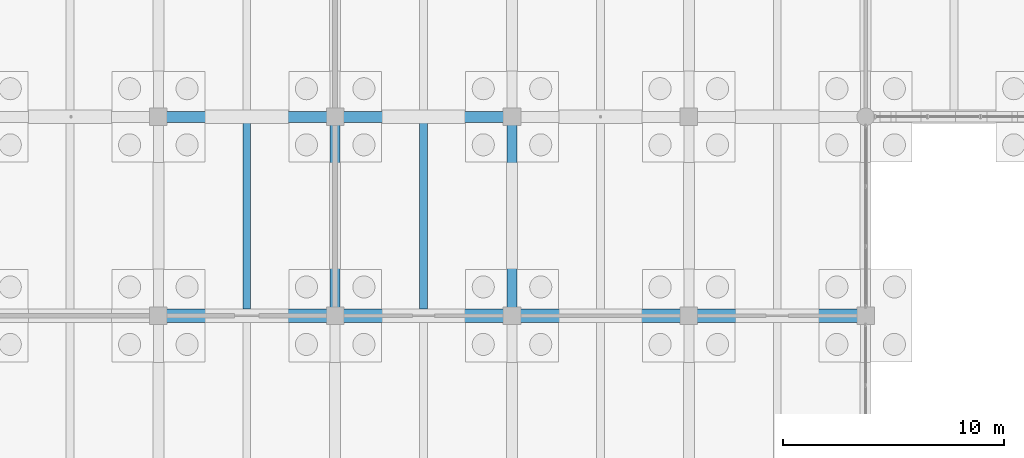
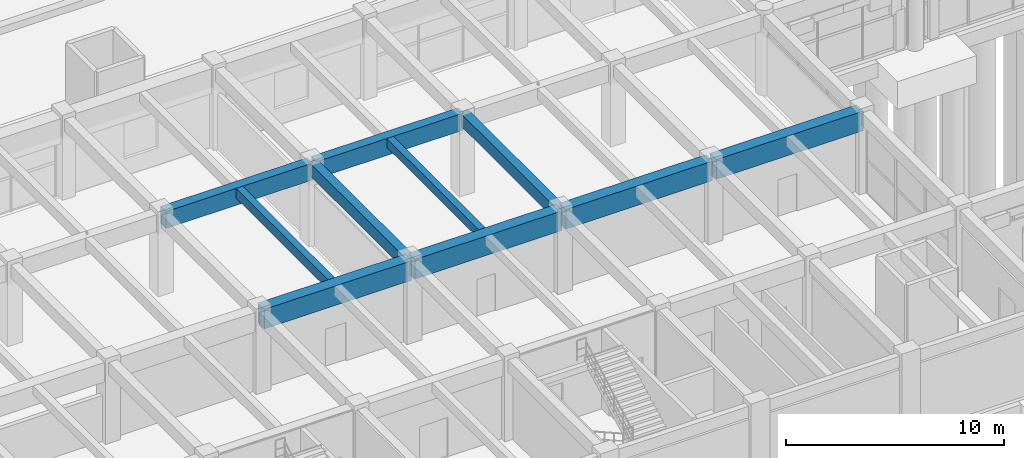
# One storey, part 34 of 147: 10 beams.
"""IFC4 building model written with IfcOpenShell, lengths in metres."""

from ifc_helpers import new_model, si_unit, direction, frame, origin, origin_2d, place, context, subcontext, project, spatial, rectangle, extrude, material, material_profile, profile_set, type_object, element, save


model = new_model("IFC4")

# Units and contexts
model_context = context("Model", 3, precision=1e-05, world=origin(), true_north=direction((0.0, 1.0)))
body_context = subcontext(model_context, "Body", "Model", "MODEL_VIEW")
ifc_project = project(units=[si_unit("LENGTHUNIT", "METRE"), si_unit("AREAUNIT", "SQUARE_METRE"), si_unit("VOLUMEUNIT", "CUBIC_METRE"), si_unit("PLANEANGLEUNIT", "RADIAN"), si_unit("MASSUNIT", "GRAM", prefix="KILO")], contexts=[model_context])

# Site, building, storey
site_placement = place(None, origin())
site = spatial("IfcSite", under=ifc_project, at=site_placement, CompositionType="ELEMENT")
building_placement = place(site_placement, origin())
building = spatial("IfcBuilding", under=site, at=building_placement, Name="Varnabhumi Central Station", CompositionType="ELEMENT")
storey_placement = place(building_placement, origin())
storey = spatial("IfcBuildingStorey", under=building, at=storey_placement, Name="L00", CompositionType="ELEMENT", Elevation=0.0)

# Beams
ifc_material_1 = material(Name="Concrete M40", Category="concrete")
ifc_material_profile_1 = material_profile(ifc_material_1, rectangle(XDim=0.35009765625, YDim=0.5, at=origin_2d()), Name="Concrete M40", Category="concrete")
ifc_profile_set_1 = profile_set([ifc_material_profile_1], Name="Concrete M40")
beam_type_1 = type_object("IfcBeamType", Name="BM-RC-350x500", PredefinedType="JOIST", material=ifc_profile_set_1)
beam_1_placement = place(storey_placement, frame((92.0, 18.300048828125, 4.300048828125), z_axis=(0.0, 1.0, 0.0), x_axis=(-1.0, 0.0, 0.0)))
element("IfcBeam", 1, at=beam_1_placement, inside=storey, type_object=beam_type_1, Name="Secondary Joist L00-12/13:C-D", PredefinedType="JOIST", context=body_context, shape_type="SweptSolid", body=[
    extrude(rectangle(XDim=0.35009765625, YDim=0.5, at=origin_2d()), origin(), (0.0, 0.0, 1.0), 8.449951171875),
])
ifc_material_profile_2 = material_profile(ifc_material_1, rectangle(XDim=0.35009765625, YDim=0.550048828125, at=origin_2d()), Name="Concrete M40", Category="concrete")
ifc_profile_set_2 = profile_set([ifc_material_profile_2], Name="Concrete M40")
beam_type_2 = type_object("IfcBeamType", Name="BM-RC-350x550", PredefinedType="JOIST", material=ifc_profile_set_2)
beam_2_placement = place(storey_placement, frame((84.0, 18.300048828125, 4.27490234375), z_axis=(0.0, 1.0, 0.0), x_axis=(-1.0, 0.0, 0.0)))
element("IfcBeam", 2, at=beam_2_placement, inside=storey, type_object=beam_type_2, Name="Secondary Joist L00-11/12:C-D", PredefinedType="JOIST", context=body_context, shape_type="SweptSolid", body=[
    extrude(rectangle(XDim=0.35009765625, YDim=0.550048828125, at=origin_2d()), origin(), (0.0, 0.0, 1.0), 8.449951171875),
])
ifc_material_profile_3 = material_profile(ifc_material_1, rectangle(XDim=0.449951171875, YDim=0.699951171875, at=origin_2d()), Name="Concrete M40", Category="concrete")
ifc_profile_set_3 = profile_set([ifc_material_profile_3], Name="Concrete M40")
beam_type_3 = type_object("IfcBeamType", Name="BM-RC-450x700", PredefinedType="BEAM", material=ifc_profile_set_3)
for number, where, z_axis, x_axis, name in (
    (3, (88.0, 18.10009765625, 4.199951171875), (0.0, 1.0, 0.0), (-1.0, 0.0, 0.0), "Beam L00-12:C-D"),
    (4, (96.0, 18.10009765625, 4.199951171875), (0.0, 1.0, 0.0), (-1.0, 0.0, 0.0), "Beam L00-13:C-D"),
):
    element("IfcBeam", number, at=place(storey_placement, frame(where, z_axis=z_axis, x_axis=x_axis)), inside=storey, type_object=beam_type_3, Name=name, PredefinedType="BEAM", context=body_context, shape_type="SweptSolid", body=[
        extrude(rectangle(XDim=0.449951171875, YDim=0.699951171875, at=origin_2d()), origin(), (0.0, 0.0, 1.0), 8.7998046875),
    ])
ifc_material_profile_4 = material_profile(ifc_material_1, rectangle(XDim=0.5, YDim=0.949951171875, at=origin_2d()), Name="Concrete M40", Category="concrete")
ifc_profile_set_4 = profile_set([ifc_material_profile_4], Name="Concrete M40")
beam_type_4 = type_object("IfcBeamType", Name="BM-RC-500x950", PredefinedType="BEAM", material=ifc_profile_set_4)
for number, where, z_axis, x_axis, name in (
    (5, (80.10009765625, 27.0, 4.074951171875), (1.0, 0.0, 0.0), (0.0, 1.0, 0.0), "Beam L00-D:11-12"),
    (6, (88.10009765625, 27.0, 4.074951171875), (1.0, 0.0, 0.0), (0.0, 1.0, 0.0), "Beam L00-D:12-13"),
):
    element("IfcBeam", number, at=place(storey_placement, frame(where, z_axis=z_axis, x_axis=x_axis)), inside=storey, type_object=beam_type_4, Name=name, PredefinedType="BEAM", context=body_context, shape_type="SweptSolid", body=[
        extrude(rectangle(XDim=0.5, YDim=0.949951171875, at=origin_2d()), origin(), (0.0, 0.0, 1.0), 7.7998046875),
    ])
ifc_material_2 = material(Name="Concrete M50", Category="concrete")
ifc_material_profile_5 = material_profile(ifc_material_2, rectangle(XDim=0.60009765625, YDim=1.10009765625, at=origin_2d()), Name="Concrete M50", Category="concrete")
ifc_profile_set_5 = profile_set([ifc_material_profile_5], Name="Concrete M50")
beam_type_5 = type_object("IfcBeamType", Name="BM-RC-600x1100", PredefinedType="BEAM", material=ifc_profile_set_5)
for number, where, z_axis, x_axis, name in (
    (7, (80.10009765625, 18.0, 4.0), (1.0, 0.0, 0.0), (0.0, 1.0, 0.0), "Beam L00-C:11-12"),
    (8, (88.10009765625, 18.0, 4.0), (1.0, 0.0, 0.0), (0.0, 1.0, 0.0), "Beam L00-C:12-13"),
    (9, (96.10009765625, 18.0, 4.0), (1.0, 0.0, 0.0), (0.0, 1.0, 0.0), "Beam L00-C:13-14"),
    (10, (104.10009765625, 18.0, 4.0), (1.0, 0.0, 0.0), (0.0, 1.0, 0.0), "Beam L00-C:14-15"),
):
    element("IfcBeam", number, at=place(storey_placement, frame(where, z_axis=z_axis, x_axis=x_axis)), inside=storey, type_object=beam_type_5, Name=name, PredefinedType="BEAM", context=body_context, shape_type="SweptSolid", body=[
        extrude(rectangle(XDim=0.60009765625, YDim=1.10009765625, at=origin_2d()), origin(), (0.0, 0.0, 1.0), 7.7998046875),
    ])

save(model, "model.ifc")
